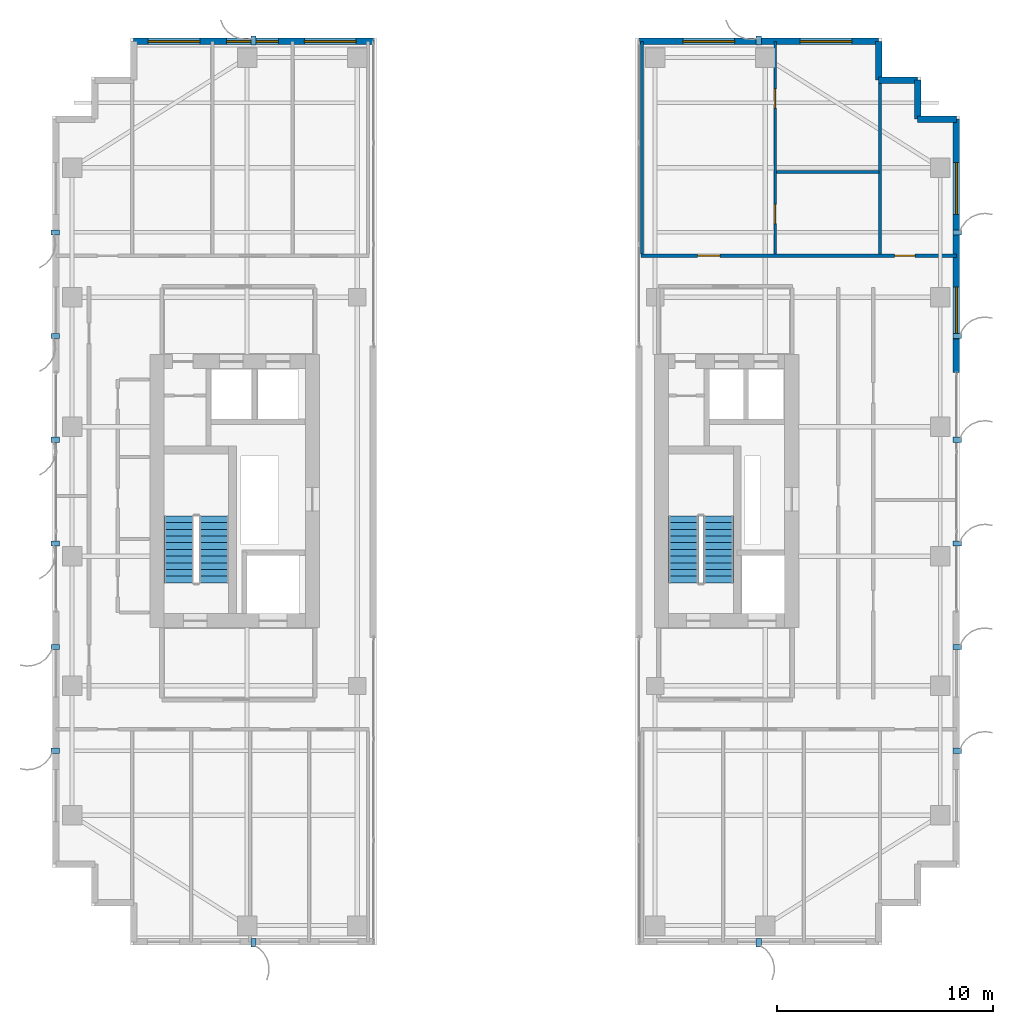
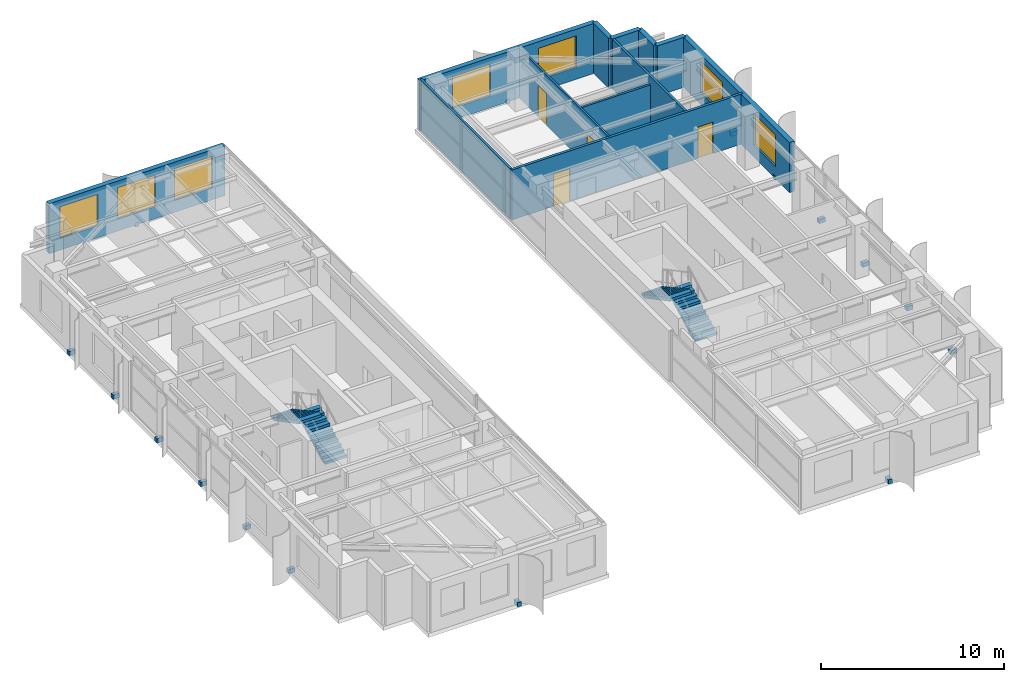
# One storey, part 19 of 22: 16 discrete accessories, 12 walls, 7 windows, 4 doors, 4 stair flights, 11 openings, 2 elements without a shape of their own.
"""IFC4 building model written with IfcOpenShell, lengths in metres."""

import ifcopenshell
import ifcopenshell.guid

model = None  # the IFC model being written
_history = None  # IfcOwnerHistory: only IFC2X3 demands one
_inside = {}  # id of a spatial element -> (the spatial element, [elements in it])
_under = {}  # id of a project, library or spatial element -> (it, [spatial elements below it])
_declared = {}  # id of a project -> (the project, [libraries it declares])
_typed = {}  # id of a type object -> (the type object, [elements of that type])
_made_of = {}  # id of a material, layer set ... -> (it, [elements and type objects made of it])


def new_model(schema):
    """Start an empty IFC model of exactly this schema.

    Asked for "IFC4X3", IfcOpenShell would pick the latest addendum, in which some entities
    have other attributes; the version numbers below select the first issue.
    IFC2X3 requires an IfcOwnerHistory on every rooted entity: one is made here for all.
    """
    global model, _history
    if schema == "IFC4X3":
        model = ifcopenshell.file(schema_version=(4, 3, 0, 0))
    else:
        model = ifcopenshell.file(schema=schema)
    _inside.clear()
    _under.clear()
    _declared.clear()
    _typed.clear()
    _made_of.clear()
    _history = None
    if model.schema == "IFC2X3":
        org = make("IfcOrganization", Name="unknown")
        user = make(
            "IfcPersonAndOrganization",
            ThePerson=make("IfcPerson", FamilyName="unknown"),
            TheOrganization=org,
        )
        app = make(
            "IfcApplication",
            ApplicationDeveloper=org,
            Version="unknown",
            ApplicationFullName="unknown",
            ApplicationIdentifier="unknown",
        )
        _history = make(
            "IfcOwnerHistory",
            OwningUser=user,
            OwningApplication=app,
            ChangeAction="ADDED",
            CreationDate=0,
        )
    return model


def make(cls, **values):
    """One entity of the class cls with the attributes given. An attribute that is None is left unset."""
    return model.create_entity(
        cls, **{name: value for name, value in values.items() if value is not None}
    )


def rooted(cls, **values):
    """An entity with a GlobalId (a new one), such as an element, a storey or a relation."""
    return make(cls, GlobalId=ifcopenshell.guid.new(), OwnerHistory=_history, **values)


def si_unit(unit_type, name, prefix=None):
    """IfcSIUnit, for example si_unit("LENGTHUNIT", "METRE", prefix="MILLI")."""
    return make("IfcSIUnit", UnitType=unit_type, Prefix=prefix, Name=name)


def assignment(units):
    """IfcUnitAssignment: the units of a project."""
    return None if units is None else make("IfcUnitAssignment", Units=units)


def point(xyz):
    """IfcCartesianPoint."""
    return None if xyz is None else make("IfcCartesianPoint", Coordinates=xyz)


def direction(xyz):
    """IfcDirection."""
    return None if xyz is None else make("IfcDirection", DirectionRatios=xyz)


def frame(location, z_axis=None, x_axis=None):
    """IfcAxis2Placement3D, a coordinate frame: its origin and axes. An axis left out is left unset."""
    return make(
        "IfcAxis2Placement3D",
        Location=point(location),
        Axis=direction(z_axis),
        RefDirection=direction(x_axis),
    )


def frame_2d(location, x_axis=None):
    """IfcAxis2Placement2D, a coordinate frame in the plane: its origin and x axis."""
    return make(
        "IfcAxis2Placement2D", Location=point(location), RefDirection=direction(x_axis)
    )


def origin():
    """The frame at (0, 0, 0) with its axes left unset."""
    return frame((0.0, 0.0, 0.0))


def origin_2d():
    """The frame at (0, 0) in the plane with its x axis left unset."""
    return frame_2d((0.0, 0.0))


def place(relative_to, where):
    """IfcLocalPlacement: puts the frame where relative to a parent placement (None: the world)."""
    return make(
        "IfcLocalPlacement", PlacementRelTo=relative_to, RelativePlacement=where
    )


def context(
    kind, dimensions, precision=None, world=None, true_north=None, identifier=None
):
    """IfcGeometricRepresentationContext, for example the 3D "Model" context."""
    return make(
        "IfcGeometricRepresentationContext",
        ContextIdentifier=identifier,
        ContextType=kind,
        CoordinateSpaceDimension=dimensions,
        Precision=precision,
        WorldCoordinateSystem=world,
        TrueNorth=true_north,
    )


def subcontext(parent, identifier, kind, view, scale=None):
    """IfcGeometricRepresentationSubContext, for example "Body" below "Model"."""
    return make(
        "IfcGeometricRepresentationSubContext",
        ContextIdentifier=identifier,
        ContextType=kind,
        ParentContext=parent,
        TargetScale=scale,
        TargetView=view,
    )


def project(units=None, contexts=None):
    """IfcProject with its units and contexts."""
    return rooted(
        "IfcProject",
        Name="project",
        RepresentationContexts=contexts,
        UnitsInContext=assignment(units),
    )


def spatial(cls, under=None, at=None, **own):
    """A site, building, storey or space (cls), placed at a placement, below another one or the project."""
    s = rooted(cls, ObjectPlacement=at, **own)
    if under is not None:
        _under.setdefault(under.id(), (under, []))[1].append(s)
    return s


def polyline(points):
    """IfcPolyline through the points."""
    return make("IfcPolyline", Points=[point(p) for p in points])


def profile(cls, at=None, kind="AREA", **sizes):
    """A parametric profile (cls). Its sizes go by their IFC names, for example OverallWidth=200.0."""
    return make(cls, ProfileType=kind, Position=at, **sizes)


def rectangle(**sizes):
    """IfcRectangleProfileDef."""
    return profile("IfcRectangleProfileDef", **sizes)


def outline(outer, holes=None, kind="AREA"):
    """IfcArbitraryClosedProfileDef: a profile drawn as a closed curve; with holes, ...WithVoids."""
    if holes is None:
        return make("IfcArbitraryClosedProfileDef", ProfileType=kind, OuterCurve=outer)
    return make(
        "IfcArbitraryProfileDefWithVoids",
        ProfileType=kind,
        OuterCurve=outer,
        InnerCurves=holes,
    )


def extrude(swept, where, along, depth):
    """IfcExtrudedAreaSolid: the profile swept, set in the frame where, extruded along a direction by depth."""
    return make(
        "IfcExtrudedAreaSolid",
        SweptArea=swept,
        Position=where,
        ExtrudedDirection=direction(along),
        Depth=depth,
    )


def shape(context_of_items, identifier, shape_type, items):
    """IfcShapeRepresentation: the items that make up one representation, for example the "Body"."""
    return make(
        "IfcShapeRepresentation",
        ContextOfItems=context_of_items,
        RepresentationIdentifier=identifier,
        RepresentationType=shape_type,
        Items=items,
    )


def source(mapping_origin, context_of_items, identifier, shape_type, items):
    """IfcRepresentationMap: a shape defined once, which mapped items show again and again."""
    return make(
        "IfcRepresentationMap",
        MappingOrigin=mapping_origin,
        MappedRepresentation=shape(context_of_items, identifier, shape_type, items),
    )


def transform(
    local_origin,
    x_axis=None,
    y_axis=None,
    z_axis=None,
    scale=None,
    scale2=None,
    scale3=None,
    uniform=True,
):
    """IfcCartesianTransformationOperator3D, or its non-uniform kind. x_axis, y_axis, z_axis: its Axis1, 2, 3."""
    if uniform:
        return make(
            "IfcCartesianTransformationOperator3D",
            Axis1=direction(x_axis),
            Axis2=direction(y_axis),
            LocalOrigin=point(local_origin),
            Scale=scale,
            Axis3=direction(z_axis),
        )
    return make(
        "IfcCartesianTransformationOperator3DnonUniform",
        Axis1=direction(x_axis),
        Axis2=direction(y_axis),
        LocalOrigin=point(local_origin),
        Scale=scale,
        Axis3=direction(z_axis),
        Scale2=scale2,
        Scale3=scale3,
    )


def mapped(mapping_source, mapping_target):
    """IfcMappedItem: shows the shape of a source again, moved by a transform."""
    return make(
        "IfcMappedItem", MappingSource=mapping_source, MappingTarget=mapping_target
    )


def material(Name=None, Category=None):
    """IfcMaterial."""
    return make("IfcMaterial", Name=Name, Category=Category)


def layer(
    of_material, thickness, ventilated=None, Name=None, Category=None, Priority=None
):
    """IfcMaterialLayer: one layer of a wall or slab, of a material (None: an air gap)."""
    return make(
        "IfcMaterialLayer",
        Material=of_material,
        LayerThickness=thickness,
        IsVentilated=ventilated,
        Name=Name,
        Category=Category,
        Priority=Priority,
    )


def layer_set(layers, Name=None):
    """IfcMaterialLayerSet."""
    return make("IfcMaterialLayerSet", MaterialLayers=layers, LayerSetName=Name)


def made_of(thing, what):
    """Note that an element or type object is made of a material, layer set ...; save() writes the relation."""
    if what is not None:
        _made_of.setdefault(what.id(), (what, []))[1].append(thing)
    return thing


def type_object(cls, material=None, **own):
    """A type object (cls), such as IfcWallType, which elements share."""
    return made_of(rooted(cls, **own), material)


def element(
    cls,
    number,
    at=None,
    inside=None,
    cuts=None,
    type_object=None,
    material=None,
    context=None,
    identifier="Body",
    shape_type=None,
    held_by="IfcProductDefinitionShape",
    body=None,
    shapes=None,
    **own,
):
    """One element of the class cls, such as IfcWall. Its Tag is "e" and its number.

    at: its placement. inside: the storey or other place that contains it. cuts: it is an
    opening in that element (IfcRelVoidsElement). A single representation is given by context,
    identifier, shape_type and body (its items); several are given by shapes. held_by: the class
    of the entity that holds the representations. save() writes the other relations.
    """
    e = rooted(cls, Tag="e%d" % number, ObjectPlacement=at, **own)
    if body is not None:
        shapes = [shape(context, identifier, shape_type, body)]
    if shapes is not None:
        e.Representation = make(held_by, Representations=shapes)
    if inside is not None:
        _inside.setdefault(inside.id(), (inside, []))[1].append(e)
    if cuts is not None:
        rooted(
            "IfcRelVoidsElement", RelatingBuildingElement=cuts, RelatedOpeningElement=e
        )
    if type_object is not None:
        _typed.setdefault(type_object.id(), (type_object, []))[1].append(e)
    return made_of(e, material)


def fill(opening, filler):
    """IfcRelFillsElement: the door or window that sits in an opening."""
    return rooted(
        "IfcRelFillsElement",
        RelatingOpeningElement=opening,
        RelatedBuildingElement=filler,
    )


def aggregate(whole, parts):
    """IfcRelAggregates: a whole, such as a stair, and the parts it consists of."""
    return rooted("IfcRelAggregates", RelatingObject=whole, RelatedObjects=parts)


def save(model, path):
    """Write the relations noted so far, then the file.

    IfcRelAggregates (storeys below a building ...), IfcRelContainedInSpatialStructure (elements
    in a storey), IfcRelDefinesByType, IfcRelAssociatesMaterial and IfcRelDeclares: one each for
    every whole, place, type object, material and project.
    """
    for whole, parts in _under.values():
        aggregate(whole, parts)
    for where, things in _inside.values():
        rooted(
            "IfcRelContainedInSpatialStructure",
            RelatedElements=things,
            RelatingStructure=where,
        )
    for kind, things in _typed.values():
        rooted("IfcRelDefinesByType", RelatedObjects=things, RelatingType=kind)
    for what, things in _made_of.values():
        rooted("IfcRelAssociatesMaterial", RelatedObjects=things, RelatingMaterial=what)
    for by, libraries in _declared.values():
        rooted("IfcRelDeclares", RelatingContext=by, RelatedDefinitions=libraries)
    model.write(path)


model = new_model("IFC4")

# Units and contexts
model_context = context("Model", 3, precision=1e-05, world=origin(), true_north=direction((0.0, 1.0)))
body_context = subcontext(model_context, "Body", "Model", "MODEL_VIEW")
ifc_project = project(units=[si_unit("LENGTHUNIT", "METRE"), si_unit("AREAUNIT", "SQUARE_METRE"), si_unit("VOLUMEUNIT", "CUBIC_METRE"), si_unit("PLANEANGLEUNIT", "RADIAN"), si_unit("MASSUNIT", "GRAM", prefix="KILO")], contexts=[model_context])

# Site, building, storey
site_placement = place(None, origin())
site = spatial("IfcSite", under=ifc_project, at=site_placement, CompositionType="ELEMENT")
building_placement = place(site_placement, origin())
building = spatial("IfcBuilding", under=site, at=building_placement, Name="Khoralis Quay Care Tower", CompositionType="ELEMENT")
storey_placement = place(building_placement, frame((0.0, 0.0, 195.300048828125)))
storey = spatial("IfcBuildingStorey", under=building, at=storey_placement, Name="L51", CompositionType="ELEMENT", Elevation=195.300048828125)

# Wall, openings, doors
ifc_material_1 = material(Name="Gypsum plasterboard on acoustic metal stud")
ifc_layer_1 = layer(ifc_material_1, 0.1650390625)
ifc_layer_set_1 = layer_set([ifc_layer_1], Name="Gypsum plasterboard on acoustic metal stud")
wall_type_1 = type_object("IfcWallType", Name="WL-CORR-165", PredefinedType="PARTITIONING", material=ifc_layer_set_1)
wall_1_placement = place(storey_placement, frame((30.25, 31.919921875, 0.0), z_axis=(0.0, 0.0, 1.0), x_axis=(1.0, 0.0, 0.0)))
wall_1 = element("IfcWall", 1, at=wall_1_placement, inside=storey, type_object=wall_type_1, Name="L51 East Wing North Corridor Wall", PredefinedType="PARTITIONING", context=body_context, shape_type="SweptSolid", body=[
    extrude(rectangle(XDim=14.60498046875, YDim=0.1650390625, at=frame_2d((7.302490234375, 0.0))), origin(), (0.0, 0.0, 1.0), 3.33984375),
])
opening_1_placement = place(wall_1_placement, frame((2.610595703125, 0.0, 0.0)))
opening_1 = element("IfcOpeningElement", 2, at=opening_1_placement, cuts=wall_1, Name="Opening UD1", PredefinedType="OPENING", context=body_context, shape_type="SweptSolid", body=[
    extrude(rectangle(XDim=1.050048828125, YDim=2.14990234375, at=frame_2d((0.52490234375, 1.074951171875))), frame((0.0, 0.092529296875, 0.0), z_axis=(0.0, -1.0, 0.0), x_axis=(1.0, 0.0, 0.0)), (0.0, 0.0, 1.0), 0.18505859375),
])
opening_2_placement = place(wall_1_placement, frame((11.735107421875, 0.0, 0.0)))
opening_2 = element("IfcOpeningElement", 3, at=opening_2_placement, cuts=wall_1, Name="Opening ID1", PredefinedType="OPENING", context=body_context, shape_type="SweptSolid", body=[
    extrude(rectangle(XDim=0.949951171875, YDim=2.10009765625, at=frame_2d((0.47509765625, 1.050048828125))), frame((0.0, 0.092529296875, 0.0), z_axis=(0.0, -1.0, 0.0), x_axis=(1.0, 0.0, 0.0)), (0.0, 0.0, 1.0), 0.18505859375),
])
ifc_material_2 = material(Name="Acoustic hardwood timber", Category="wood")
door_type_1 = type_object("IfcDoorType", Name="DR-ROOM-950X2100", OperationType="NOTDEFINED", PredefinedType="DOOR", material=ifc_material_2)
shared_shape_1 = source(origin(), body_context, "Body", "SweptSolid", [
    extrude(rectangle(XDim=0.949951171875, YDim=2.10009765625, at=frame_2d((0.47509765625, 1.050048828125))), frame((0.0, 0.02490234375, 0.0), z_axis=(0.0, -1.0, 0.0), x_axis=(1.0, 0.0, 0.0)), (0.0, 0.0, 1.0), 0.050048828125),
])
door_1_placement = place(opening_2_placement, origin())
door_1 = element("IfcDoor", 4, at=door_1_placement, inside=storey, type_object=door_type_1, Name="L51 NE Corner Door", OperationType="SINGLE_SWING_LEFT", OverallHeight=2.10009765625, OverallWidth=0.949951171875, PredefinedType="DOOR", context=body_context, shape_type="MappedRepresentation", body=[
    mapped(shared_shape_1, transform((0.0, 0.0, 0.0), scale=1.0)),
])
fill(opening_2, door_1)
door_type_2 = type_object("IfcDoorType", Name="DR-SUITE-1050X2150", OperationType="NOTDEFINED", PredefinedType="DOOR", material=ifc_material_2)
shared_shape_2 = source(origin(), body_context, "Body", "SweptSolid", [
    extrude(rectangle(XDim=1.050048828125, YDim=2.14990234375, at=frame_2d((0.52490234375, 1.074951171875))), frame((0.0, 0.02490234375, 0.0), z_axis=(0.0, -1.0, 0.0), x_axis=(1.0, 0.0, 0.0)), (0.0, 0.0, 1.0), 0.050048828125),
])
door_2_placement = place(opening_1_placement, origin())
door_2 = element("IfcDoor", 5, at=door_2_placement, inside=storey, type_object=door_type_2, Name="L51 Studio EN0 Entrance", OperationType="SINGLE_SWING_RIGHT", OverallHeight=2.14990234375, OverallWidth=1.050048828125, PredefinedType="DOOR", context=body_context, shape_type="MappedRepresentation", body=[
    mapped(shared_shape_2, transform((0.0, 0.0, 0.0), scale=1.0)),
])
fill(opening_1, door_2)

# Wall, openings, windows
ifc_material_3 = material(Name="Precast concrete C45/55", Category="concrete")
ifc_layer_2 = layer(ifc_material_3, 0.300048828125)
ifc_layer_set_2 = layer_set([ifc_layer_2], Name="Precast concrete C45/55")
wall_type_2 = type_object("IfcWallType", Name="WL-EXT-REF-300", PredefinedType="SOLIDWALL", material=ifc_layer_set_2)
wall_2_placement = place(storey_placement, frame((17.85009765625, 41.85009765625, 0.0), z_axis=(0.0, 0.0, 1.0), x_axis=(-1.0, 0.0, 0.0)))
wall_2 = element("IfcWall", 6, at=wall_2_placement, inside=storey, type_object=wall_type_2, Name="L51 External Facade Wall WL-EXT-L51-P1-E2", PredefinedType="SOLIDWALL", context=body_context, shape_type="SweptSolid", body=[
    extrude(rectangle(XDim=11.10009765625, YDim=0.300048828125, at=frame_2d((5.550048828125, 0.0))), origin(), (0.0, 0.0, 1.0), 3.33984375),
])
opening_3_placement = place(wall_2_placement, frame((0.794921875, 0.0, 0.800048828125)))
opening_3 = element("IfcOpeningElement", 7, at=opening_3_placement, cuts=wall_2, Name="Opening W1", PredefinedType="OPENING", context=body_context, shape_type="SweptSolid", body=[
    extrude(rectangle(XDim=2.39990234375, YDim=2.10009765625, at=frame_2d((1.199951171875, 1.050048828125))), frame((0.0, 0.16015625, 0.0), z_axis=(0.0, -1.0, 0.0), x_axis=(1.0, 0.0, 0.0)), (0.0, 0.0, 1.0), 0.320068359375),
])
opening_4_placement = place(wall_2_placement, frame((4.39990234375, 0.0, 0.800048828125)))
opening_4 = element("IfcOpeningElement", 8, at=opening_4_placement, cuts=wall_2, Name="Opening W1", PredefinedType="OPENING", context=body_context, shape_type="SweptSolid", body=[
    extrude(rectangle(XDim=2.39990234375, YDim=2.10009765625, at=frame_2d((1.199951171875, 1.050048828125))), frame((0.0, 0.16015625, 0.0), z_axis=(0.0, -1.0, 0.0), x_axis=(1.0, 0.0, 0.0)), (0.0, 0.0, 1.0), 0.320068359375),
])
opening_5_placement = place(wall_2_placement, frame((8.030029296875, 0.0, 0.800048828125)))
opening_5 = element("IfcOpeningElement", 9, at=opening_5_placement, cuts=wall_2, Name="Opening W1", PredefinedType="OPENING", context=body_context, shape_type="SweptSolid", body=[
    extrude(rectangle(XDim=2.39990234375, YDim=2.10009765625, at=frame_2d((1.199951171875, 1.050048828125))), frame((0.0, 0.16015625, 0.0), z_axis=(0.0, -1.0, 0.0), x_axis=(1.0, 0.0, 0.0)), (0.0, 0.0, 1.0), 0.320068359375),
])
ifc_material_4 = material(Name="Low-E solar-control double glazing", Category="glass")
window_type = type_object("IfcWindowType", Name="WN-POD-2400X2100", PartitioningType="SINGLE_PANEL", PredefinedType="WINDOW", material=ifc_material_4)
shared_shape_3 = source(origin(), body_context, "Body", "SweptSolid", [
    extrude(rectangle(XDim=2.39990234375, YDim=2.10009765625, at=frame_2d((1.199951171875, 1.050048828125))), frame((0.0, 0.030029296875, 0.0), z_axis=(0.0, -1.0, 0.0), x_axis=(1.0, 0.0, 0.0)), (0.0, 0.0, 1.0), 0.06005859375),
])
window_1_placement = place(opening_3_placement, origin())
window_1 = element("IfcWindow", 10, at=window_1_placement, inside=storey, type_object=window_type, Name="WN-L51-P1-E2 Facade Window 01", OverallHeight=2.10009765625, OverallWidth=2.39990234375, PartitioningType="SINGLE_PANEL", PredefinedType="WINDOW", context=body_context, shape_type="MappedRepresentation", body=[
    mapped(shared_shape_3, transform((0.0, 0.0, 0.0), scale=1.0)),
])
fill(opening_3, window_1)
window_2_placement = place(opening_4_placement, origin())
window_2 = element("IfcWindow", 11, at=window_2_placement, inside=storey, type_object=window_type, Name="WN-L51-P1-E2 Facade Window 02", OverallHeight=2.10009765625, OverallWidth=2.39990234375, PartitioningType="SINGLE_PANEL", PredefinedType="WINDOW", context=body_context, shape_type="MappedRepresentation", body=[
    mapped(shared_shape_3, transform((0.0, 0.0, 0.0), scale=1.0)),
])
fill(opening_4, window_2)
window_3_placement = place(opening_5_placement, origin())
window_3 = element("IfcWindow", 12, at=window_3_placement, inside=storey, type_object=window_type, Name="WN-L51-P1-E2 Facade Window 03", OverallHeight=2.10009765625, OverallWidth=2.39990234375, PartitioningType="SINGLE_PANEL", PredefinedType="WINDOW", context=body_context, shape_type="MappedRepresentation", body=[
    mapped(shared_shape_3, transform((0.0, 0.0, 0.0), scale=1.0)),
])
fill(opening_5, window_3)

wall_3_placement = place(storey_placement, frame((44.85009765625, 26.52001953125, 0.0), z_axis=(0.0, 0.0, 1.0), x_axis=(0.0, 1.0, 0.0)))
wall_3 = element("IfcWall", 13, at=wall_3_placement, inside=storey, type_object=wall_type_2, Name="L51 External Facade Wall WL-EXT-L51-P2-E5B", PredefinedType="SOLIDWALL", context=body_context, shape_type="SweptSolid", body=[
    extrude(rectangle(XDim=11.72998046875, YDim=0.300048828125, at=frame_2d((5.864990234375, 0.0))), origin(), (0.0, 0.0, 1.0), 3.33984375),
])
opening_6_placement = place(wall_3_placement, frame((1.550048828125, 0.0, 0.800048828125)))
opening_6 = element("IfcOpeningElement", 14, at=opening_6_placement, cuts=wall_3, Name="Opening W1", PredefinedType="OPENING", context=body_context, shape_type="SweptSolid", body=[
    extrude(rectangle(XDim=2.39990234375, YDim=2.10009765625, at=frame_2d((1.199951171875, 1.050048828125))), frame((0.0, 0.16015625, 0.0), z_axis=(0.0, -1.0, 0.0), x_axis=(1.0, 0.0, 0.0)), (0.0, 0.0, 1.0), 0.320068359375),
])
opening_7_placement = place(wall_3_placement, frame((7.31494140625, 0.0, 0.800048828125)))
opening_7 = element("IfcOpeningElement", 15, at=opening_7_placement, cuts=wall_3, Name="Opening W1", PredefinedType="OPENING", context=body_context, shape_type="SweptSolid", body=[
    extrude(rectangle(XDim=2.39990234375, YDim=2.10009765625, at=frame_2d((1.199951171875, 1.050048828125))), frame((0.0, 0.16015625, 0.0), z_axis=(0.0, -1.0, 0.0), x_axis=(1.0, 0.0, 0.0)), (0.0, 0.0, 1.0), 0.320068359375),
])
window_4_placement = place(opening_6_placement, origin())
window_4 = element("IfcWindow", 16, at=window_4_placement, inside=storey, type_object=window_type, Name="WN-L51-P2-E5B Facade Window 01", OverallHeight=2.10009765625, OverallWidth=2.39990234375, PartitioningType="SINGLE_PANEL", PredefinedType="WINDOW", context=body_context, shape_type="MappedRepresentation", body=[
    mapped(shared_shape_3, transform((0.0, 0.0, 0.0), scale=1.0)),
])
fill(opening_6, window_4)
window_5_placement = place(opening_7_placement, origin())
window_5 = element("IfcWindow", 17, at=window_5_placement, inside=storey, type_object=window_type, Name="WN-L51-P2-E5B Facade Window 02", OverallHeight=2.10009765625, OverallWidth=2.39990234375, PartitioningType="SINGLE_PANEL", PredefinedType="WINDOW", context=body_context, shape_type="MappedRepresentation", body=[
    mapped(shared_shape_3, transform((0.0, 0.0, 0.0), scale=1.0)),
])
fill(opening_7, window_5)

# Walls
for number, where, z_axis, x_axis, name in (
    (18, (44.85009765625, 38.25, 0.0), (0.0, 0.0, 1.0), (-1.0, 0.0, 0.0), "L51 External Facade Wall WL-EXT-L51-P2-C6"),
    (19, (43.050048828125, 38.25, 0.0), (0.0, 0.0, 1.0), (0.0, 1.0, 0.0), "L51 External Facade Wall WL-EXT-L51-P2-C7"),
    (20, (43.050048828125, 40.050048828125, 0.0), (0.0, 0.0, 1.0), (-1.0, 0.0, 0.0), "L51 External Facade Wall WL-EXT-L51-P2-C8"),
    (21, (41.25, 40.050048828125, 0.0), (0.0, 0.0, 1.0), (0.0, 1.0, 0.0), "L51 External Facade Wall WL-EXT-L51-P2-C9"),
):
    element("IfcWall", number, at=place(storey_placement, frame(where, z_axis=z_axis, x_axis=x_axis)), inside=storey, type_object=wall_type_2, Name=name, PredefinedType="SOLIDWALL", context=body_context, shape_type="SweptSolid", body=[
        extrude(rectangle(XDim=1.800048828125, YDim=0.300048828125, at=frame_2d((0.89990234375, 0.0))), origin(), (0.0, 0.0, 1.0), 3.33984375),
    ])

# Wall, openings, windows
wall_4_placement = place(storey_placement, frame((41.25, 41.85009765625, 0.0), z_axis=(0.0, 0.0, 1.0), x_axis=(-1.0, 0.0, 0.0)))
wall_4 = element("IfcWall", 22, at=wall_4_placement, inside=storey, type_object=wall_type_2, Name="L51 External Facade Wall WL-EXT-L51-P2-E10", PredefinedType="SOLIDWALL", context=body_context, shape_type="SweptSolid", body=[
    extrude(rectangle(XDim=11.10009765625, YDim=0.300048828125, at=frame_2d((5.550048828125, 0.0))), origin(), (0.0, 0.0, 1.0), 3.33984375),
])
opening_8_placement = place(wall_4_placement, frame((1.239501953125, 0.0, 0.800048828125)))
opening_8 = element("IfcOpeningElement", 23, at=opening_8_placement, cuts=wall_4, Name="Opening W1", PredefinedType="OPENING", context=body_context, shape_type="SweptSolid", body=[
    extrude(rectangle(XDim=2.39990234375, YDim=2.10009765625, at=frame_2d((1.199951171875, 1.050048828125))), frame((0.0, 0.16015625, 0.0), z_axis=(0.0, -1.0, 0.0), x_axis=(1.0, 0.0, 0.0)), (0.0, 0.0, 1.0), 0.320068359375),
])
opening_9_placement = place(wall_4_placement, frame((6.66455078125, 0.0, 0.800048828125)))
opening_9 = element("IfcOpeningElement", 24, at=opening_9_placement, cuts=wall_4, Name="Opening W1", PredefinedType="OPENING", context=body_context, shape_type="SweptSolid", body=[
    extrude(rectangle(XDim=2.39990234375, YDim=2.10009765625, at=frame_2d((1.199951171875, 1.050048828125))), frame((0.0, 0.16015625, 0.0), z_axis=(0.0, -1.0, 0.0), x_axis=(1.0, 0.0, 0.0)), (0.0, 0.0, 1.0), 0.320068359375),
])
window_6_placement = place(opening_8_placement, origin())
window_6 = element("IfcWindow", 25, at=window_6_placement, inside=storey, type_object=window_type, Name="WN-L51-P2-E10 Facade Window 01", OverallHeight=2.10009765625, OverallWidth=2.39990234375, PartitioningType="SINGLE_PANEL", PredefinedType="WINDOW", context=body_context, shape_type="MappedRepresentation", body=[
    mapped(shared_shape_3, transform((0.0, 0.0, 0.0), scale=1.0)),
])
fill(opening_8, window_6)
window_7_placement = place(opening_9_placement, origin())
window_7 = element("IfcWindow", 26, at=window_7_placement, inside=storey, type_object=window_type, Name="WN-L51-P2-E10 Facade Window 02", OverallHeight=2.10009765625, OverallWidth=2.39990234375, PartitioningType="SINGLE_PANEL", PredefinedType="WINDOW", context=body_context, shape_type="MappedRepresentation", body=[
    mapped(shared_shape_3, transform((0.0, 0.0, 0.0), scale=1.0)),
])
fill(opening_9, window_7)

# Wall, openings, doors
ifc_layer_3 = layer(ifc_material_1, 0.114990234375)
ifc_layer_set_3 = layer_set([ifc_layer_3], Name="Gypsum plasterboard on acoustic metal stud")
wall_type_3 = type_object("IfcWallType", Name="WL-PART-115", PredefinedType="PARTITIONING", material=ifc_layer_set_3)
wall_5_placement = place(storey_placement, frame((36.470947265625, 31.99755859375, 0.0), z_axis=(0.0, 0.0, 1.0), x_axis=(0.0, 1.0, 0.0)))
wall_5 = element("IfcWall", 27, at=wall_5_placement, inside=storey, type_object=wall_type_3, Name="L51 Studio 0 Internal Wall", PredefinedType="PARTITIONING", context=body_context, shape_type="SweptSolid", body=[
    extrude(rectangle(XDim=9.857421875, YDim=0.114990234375, at=frame_2d((4.9287109375, 0.0))), origin(), (0.0, 0.0, 1.0), 3.33984375),
])
opening_10_placement = place(wall_5_placement, frame((6.757568359375, 0.0, 0.0)))
opening_10 = element("IfcOpeningElement", 28, at=opening_10_placement, cuts=wall_5, Name="Opening WD1", PredefinedType="OPENING", context=body_context, shape_type="SweptSolid", body=[
    extrude(rectangle(XDim=0.89990234375, YDim=2.10009765625, at=frame_2d((0.449951171875, 1.050048828125))), frame((0.0, 0.0673828125, 0.0), z_axis=(0.0, -1.0, 0.0), x_axis=(1.0, 0.0, 0.0)), (0.0, 0.0, 1.0), 0.135009765625),
])
opening_11_placement = place(wall_5_placement, frame((1.407470703125, 0.0, 0.0)))
opening_11 = element("IfcOpeningElement", 29, at=opening_11_placement, cuts=wall_5, Name="Opening WD1", PredefinedType="OPENING", context=body_context, shape_type="SweptSolid", body=[
    extrude(rectangle(XDim=0.89990234375, YDim=2.10009765625, at=frame_2d((0.449951171875, 1.050048828125))), frame((0.0, 0.0673828125, 0.0), z_axis=(0.0, -1.0, 0.0), x_axis=(1.0, 0.0, 0.0)), (0.0, 0.0, 1.0), 0.135009765625),
])
door_type_3 = type_object("IfcDoorType", Name="DR-BATH-900X2100", OperationType="NOTDEFINED", PredefinedType="DOOR", material=ifc_material_2)
shared_shape_4 = source(origin(), body_context, "Body", "SweptSolid", [
    extrude(rectangle(XDim=0.89990234375, YDim=2.10009765625, at=frame_2d((0.449951171875, 1.050048828125))), frame((0.0, 0.02490234375, 0.0), z_axis=(0.0, -1.0, 0.0), x_axis=(1.0, 0.0, 0.0)), (0.0, 0.0, 1.0), 0.050048828125),
])
door_3_placement = place(opening_10_placement, frame((0.89990234375, 0.0, 0.0), z_axis=(0.0, 0.0, 1.0), x_axis=(-1.0, 0.0, 0.0)))
door_3 = element("IfcDoor", 30, at=door_3_placement, inside=storey, type_object=door_type_3, Name="L51 Studio SKT Door", OperationType="SINGLE_SWING_LEFT", OverallHeight=2.10009765625, OverallWidth=0.89990234375, PredefinedType="DOOR", context=body_context, shape_type="MappedRepresentation", body=[
    mapped(shared_shape_4, transform((0.0, 0.0, 0.0), scale=1.0)),
])
fill(opening_10, door_3)
door_4_placement = place(opening_11_placement, frame((0.89990234375, 0.0, 0.0), z_axis=(0.0, 0.0, 1.0), x_axis=(-1.0, 0.0, 0.0)))
door_4 = element("IfcDoor", 31, at=door_4_placement, inside=storey, type_object=door_type_3, Name="L51 Studio SBH Door", OperationType="SINGLE_SWING_RIGHT", OverallHeight=2.10009765625, OverallWidth=0.89990234375, PredefinedType="DOOR", context=body_context, shape_type="MappedRepresentation", body=[
    mapped(shared_shape_4, transform((0.0, 0.0, 0.0), scale=1.0)),
])
fill(opening_11, door_4)

# Walls
ifc_material_5 = material(Name="Moisture-resistant gypsum and ceramic tile")
ifc_layer_4 = layer(ifc_material_5, 0.280029296875)
ifc_layer_set_4 = layer_set([ifc_layer_4], Name="Moisture-resistant gypsum and ceramic tile")
wall_type_4 = type_object("IfcWallType", Name="WL-PLUMB-280", PredefinedType="PLUMBINGWALL", material=ifc_layer_set_4)
wall_6_placement = place(storey_placement, frame((36.5234375, 35.81005859375, 0.0), z_axis=(0.0, 0.0, 1.0), x_axis=(1.0, 0.0, 0.0)))
element("IfcWall", 32, at=wall_6_placement, inside=storey, type_object=wall_type_4, Name="L51 Studio 0 Wet Split", PredefinedType="PLUMBINGWALL", context=body_context, shape_type="SweptSolid", body=[
    extrude(rectangle(XDim=4.7314453125, YDim=0.139892578125, at=frame_2d((2.36572265625, 0.0))), origin(), (0.0, 0.0, 1.0), 2.806884765625),
])
ifc_layer_5 = layer(ifc_material_1, 0.139892578125)
ifc_layer_set_5 = layer_set([ifc_layer_5], Name="Gypsum plasterboard on acoustic metal stud")
wall_type_5 = type_object("IfcWallType", Name="WL-UNIT-140", PredefinedType="PARTITIONING", material=ifc_layer_set_5)
wall_7_placement = place(storey_placement, frame((30.300048828125, 31.99755859375, 0.0), z_axis=(0.0, 0.0, 1.0), x_axis=(0.0, 1.0, 0.0)))
element("IfcWall", 33, at=wall_7_placement, inside=storey, type_object=wall_type_5, Name="L51 EN Demising Wall 0", PredefinedType="PARTITIONING", context=body_context, shape_type="SweptSolid", body=[
    extrude(rectangle(XDim=9.857421875, YDim=0.139892578125, at=frame_2d((4.9287109375, 0.0))), origin(), (0.0, 0.0, 1.0), 3.33984375),
])
wall_8_placement = place(storey_placement, frame((41.320068359375, 31.99755859375, 0.0), z_axis=(0.0, 0.0, 1.0), x_axis=(0.0, 1.0, 0.0)))
element("IfcWall", 34, at=wall_8_placement, inside=storey, type_object=wall_type_5, Name="L51 EN Demising Wall 1", PredefinedType="PARTITIONING", context=body_context, shape_type="SweptSolid", body=[
    extrude(rectangle(XDim=8.057373046875, YDim=0.139892578125, at=frame_2d((4.02880859375, 0.0))), origin(), (0.0, 0.0, 1.0), 3.33984375),
])

# Stair, stair flights
stair_type = type_object("IfcStairType", Name="ST-TWR-DOGLEG-1400", PredefinedType="HALF_TURN_STAIR", material=ifc_material_3)
stair_1_placement = place(storey_placement, origin())
stair_1 = element("IfcStair", 35, at=stair_1_placement, inside=storey, type_object=stair_type, Name="L51 West Core Exit Stair ST-T1", PredefinedType="HALF_TURN_STAIR")
stair_flight_type = type_object("IfcStairFlightType", Name="SF-TWR-1400", PredefinedType="STRAIGHT", material=ifc_material_3)
shared_shape_5 = source(origin(), body_context, "Body", "SweptSolid", [
    extrude(outline(polyline([(0.0, 0.0), (0.0, 0.16357421875), (0.31005859375, 0.16357421875), (0.31005859375, 0.327392578125), (0.6201171875, 0.327392578125), (0.6201171875, 0.490966796875), (0.929931640625, 0.490966796875), (0.929931640625, 0.654541015625), (1.239990234375, 0.654541015625), (1.239990234375, 0.818115234375), (1.550048828125, 0.818115234375), (1.550048828125, 0.98193359375), (1.860107421875, 0.98193359375), (1.860107421875, 1.1455078125), (2.169921875, 1.1455078125), (2.169921875, 1.30908203125), (2.47998046875, 1.30908203125), (2.47998046875, 1.47265625), (2.7900390625, 1.47265625), (2.7900390625, 1.636474609375), (3.10009765625, 1.636474609375), (3.10009765625, 1.800048828125), (3.10009765625, 1.466796875), (0.321044921875, 0.0), (0.0, 0.0)])), frame((0.0, 0.68994140625, 0.0), z_axis=(0.0, -1.0, 0.0), x_axis=(1.0, 0.0, 0.0)), (0.0, 0.0, 1.0), 1.3798828125),
])
stair_flight_1_placement = place(storey_placement, frame((10.4599609375, 16.77001953125, 0.0), z_axis=(0.0, 0.0, 1.0), x_axis=(0.0, 1.0, 0.0)))
stair_flight_1 = element("IfcStairFlight", 36, at=stair_flight_1_placement, type_object=stair_flight_type, Name="ST-T1 flight 1", NumberOfRisers=11, NumberOfTreads=10, PredefinedType="STRAIGHT", RiserHeight=0.163636364, TreadLength=0.31, context=body_context, shape_type="MappedRepresentation", body=[
    mapped(shared_shape_5, transform((0.0, 0.0, 0.0), scale=1.0)),
])
stair_flight_2_placement = place(storey_placement, frame((8.840087890625, 19.8701171875, 1.800048828125), z_axis=(0.0, 0.0, 1.0), x_axis=(0.0, -1.0, 0.0)))
stair_flight_2 = element("IfcStairFlight", 37, at=stair_flight_2_placement, type_object=stair_flight_type, Name="ST-T1 flight 2", NumberOfRisers=11, NumberOfTreads=10, PredefinedType="STRAIGHT", RiserHeight=0.163636364, TreadLength=0.31, context=body_context, shape_type="MappedRepresentation", body=[
    mapped(shared_shape_5, transform((0.0, 0.0, 0.0), scale=1.0)),
])
aggregate(stair_1, [stair_flight_1, stair_flight_2])

stair_2_placement = place(storey_placement, origin())
stair_2 = element("IfcStair", 38, at=stair_2_placement, inside=storey, type_object=stair_type, Name="L51 East Core Exit Stair ST-T2", PredefinedType="HALF_TURN_STAIR")
stair_flight_3_placement = place(storey_placement, frame((33.830078125, 16.77001953125, 0.0), z_axis=(0.0, 0.0, 1.0), x_axis=(0.0, 1.0, 0.0)))
stair_flight_3 = element("IfcStairFlight", 39, at=stair_flight_3_placement, type_object=stair_flight_type, Name="ST-T2 flight 1", NumberOfRisers=11, NumberOfTreads=10, PredefinedType="STRAIGHT", RiserHeight=0.163636364, TreadLength=0.31, context=body_context, shape_type="MappedRepresentation", body=[
    mapped(shared_shape_5, transform((0.0, 0.0, 0.0), scale=1.0)),
])
stair_flight_4_placement = place(storey_placement, frame((32.2099609375, 19.8701171875, 1.800048828125), z_axis=(0.0, 0.0, 1.0), x_axis=(0.0, -1.0, 0.0)))
stair_flight_4 = element("IfcStairFlight", 40, at=stair_flight_4_placement, type_object=stair_flight_type, Name="ST-T2 flight 2", NumberOfRisers=11, NumberOfTreads=10, PredefinedType="STRAIGHT", RiserHeight=0.163636364, TreadLength=0.31, context=body_context, shape_type="MappedRepresentation", body=[
    mapped(shared_shape_5, transform((0.0, 0.0, 0.0), scale=1.0)),
])
aggregate(stair_2, [stair_flight_3, stair_flight_4])

# Discrete accessories
ifc_material_6 = material(Name="Brushed stainless steel", Category="steel")
discrete_accessory_type = type_object("IfcDiscreteAccessoryType", Name="ACC-FIN-BRACKET", PredefinedType="BRACKET", material=ifc_material_6)
shared_shape_6 = source(origin(), body_context, "Body", "SweptSolid", [
    extrude(rectangle(XDim=0.39990234375, YDim=0.239990234375, at=origin_2d()), origin(), (0.0, 0.0, 1.0), 0.280029296875),
])
for number, where, z_axis, x_axis, name in (
    (41, (12.300048828125, 0.110107421875, -0.1201171875), (0.0, 0.0, 1.0), (0.0, -1.0, 0.0), "L51 Solar Fin Bracket P1E0-01"),
    (42, (12.300048828125, 41.889892578125, -0.1201171875), (0.0, 0.0, 1.0), (0.0, 1.0, 0.0), "L51 Solar Fin Bracket P1E2-01"),
    (43, (3.110107421875, 33.0, -0.1201171875), (0.0, 0.0, 1.0), (-1.0, 0.0, 0.0), "L51 Solar Fin Bracket P1E7-01"),
    (44, (3.110107421875, 28.199951171875, -0.1201171875), (0.0, 0.0, 1.0), (-1.0, 0.0, 0.0), "L51 Solar Fin Bracket P1E7-02"),
    (45, (3.110107421875, 23.39990234375, -0.1201171875), (0.0, 0.0, 1.0), (-1.0, 0.0, 0.0), "L51 Solar Fin Bracket P1E7-03"),
    (46, (3.110107421875, 18.60009765625, -0.1201171875), (0.0, 0.0, 1.0), (-1.0, 0.0, 0.0), "L51 Solar Fin Bracket P1E7-04"),
    (47, (3.110107421875, 13.800048828125, -0.1201171875), (0.0, 0.0, 1.0), (-1.0, 0.0, 0.0), "L51 Solar Fin Bracket P1E7-05"),
    (48, (3.110107421875, 9.0, -0.1201171875), (0.0, 0.0, 1.0), (-1.0, 0.0, 0.0), "L51 Solar Fin Bracket P1E7-06"),
    (49, (35.699951171875, 0.110107421875, -0.1201171875), (0.0, 0.0, 1.0), (0.0, -1.0, 0.0), "L51 Solar Fin Bracket P2E0-01"),
    (50, (44.889892578125, 9.0, -0.1201171875), (0.0, 0.0, 1.0), (1.0, 0.0, 0.0), "L51 Solar Fin Bracket P2E5-01"),
    (51, (44.889892578125, 13.800048828125, -0.1201171875), (0.0, 0.0, 1.0), (1.0, 0.0, 0.0), "L51 Solar Fin Bracket P2E5-02"),
    (52, (44.889892578125, 18.60009765625, -0.1201171875), (0.0, 0.0, 1.0), (1.0, 0.0, 0.0), "L51 Solar Fin Bracket P2E5-03"),
    (53, (44.889892578125, 23.39990234375, -0.1201171875), (0.0, 0.0, 1.0), (1.0, 0.0, 0.0), "L51 Solar Fin Bracket P2E5-04"),
    (54, (44.889892578125, 28.199951171875, -0.1201171875), (0.0, 0.0, 1.0), (1.0, 0.0, 0.0), "L51 Solar Fin Bracket P2E5-05"),
    (55, (44.889892578125, 33.0, -0.1201171875), (0.0, 0.0, 1.0), (1.0, 0.0, 0.0), "L51 Solar Fin Bracket P2E5-06"),
    (56, (35.699951171875, 41.889892578125, -0.1201171875), (0.0, 0.0, 1.0), (0.0, 1.0, 0.0), "L51 Solar Fin Bracket P2E10-01"),
):
    element("IfcDiscreteAccessory", number, at=place(storey_placement, frame(where, z_axis=z_axis, x_axis=x_axis)), inside=storey, type_object=discrete_accessory_type, Name=name, PredefinedType="BRACKET", context=body_context, shape_type="MappedRepresentation", body=[
        mapped(shared_shape_6, transform((0.0, 0.0, 0.0), scale=1.0)),
    ])

save(model, "model.ifc")
